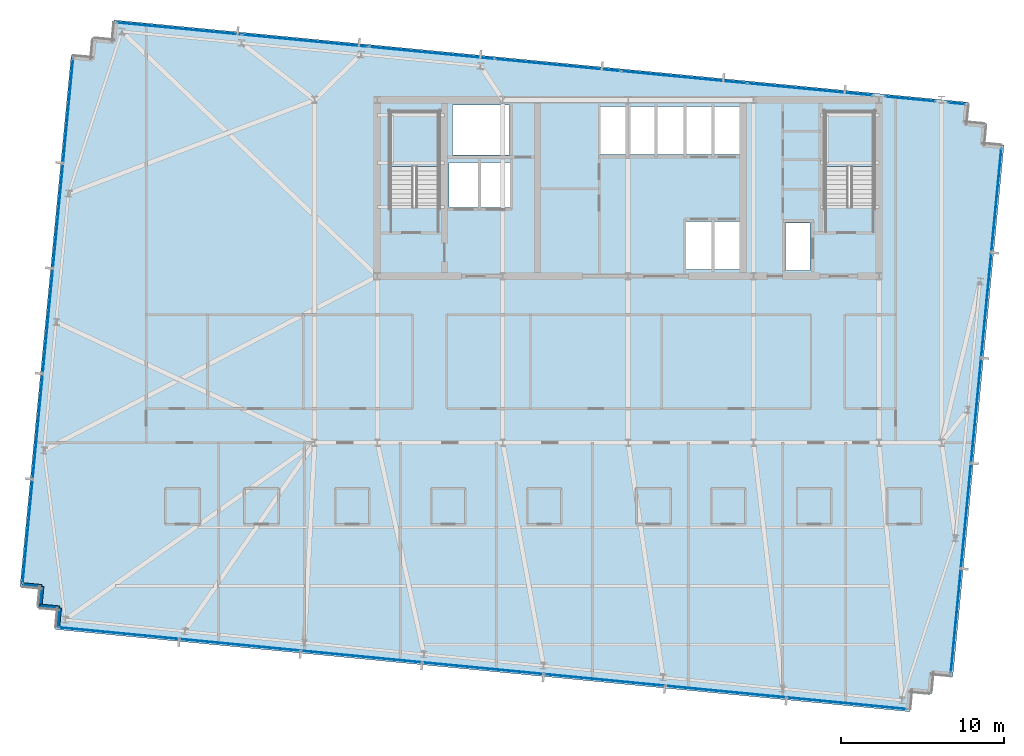
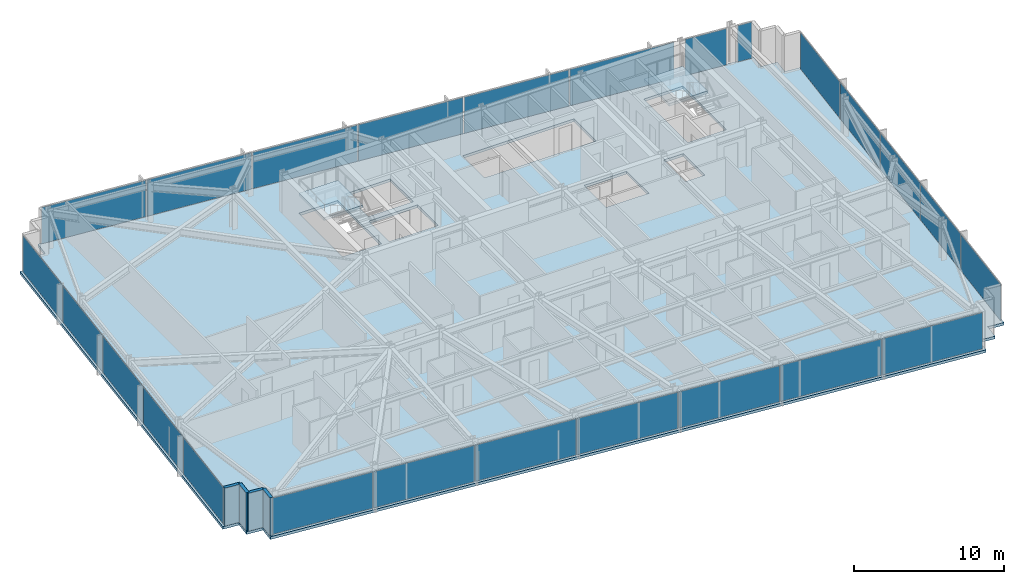
# One storey, part 28 of 37: 25 plates, 4 walls, 3 slabs, 8 elements without a shape of their own.
"""IFC4 building model written with IfcOpenShell, lengths in metres."""

from ifc_helpers import new_model, si_unit, direction, frame, frame_2d, origin, origin_2d, place, context, subcontext, project, spatial, polyline, rectangle, outline, extrude, material, layer, layer_set, type_object, element, aggregate, save


model = new_model("IFC4")

# Units and contexts
model_context = context("Model", 3, precision=1e-05, world=origin(), true_north=direction((0.0, 1.0)))
body_context = subcontext(model_context, "Body", "Model", "MODEL_VIEW")
ifc_project = project(units=[si_unit("LENGTHUNIT", "METRE"), si_unit("AREAUNIT", "SQUARE_METRE"), si_unit("VOLUMEUNIT", "CUBIC_METRE"), si_unit("PLANEANGLEUNIT", "RADIAN"), si_unit("MASSUNIT", "GRAM", prefix="KILO")], contexts=[model_context])

# Site, building, storey
site_placement = place(None, origin())
site = spatial("IfcSite", under=ifc_project, at=site_placement, CompositionType="ELEMENT")
building_placement = place(site_placement, origin())
building = spatial("IfcBuilding", under=site, at=building_placement, Name="Yelkora Congress Tower", CompositionType="ELEMENT")
storey_placement = place(building_placement, frame((0.0, 0.0, 158.89990234375)))
storey = spatial("IfcBuildingStorey", under=building, at=storey_placement, Name="L43", CompositionType="ELEMENT", Elevation=158.89990234375)

# Curtain wall, plates
ifc_material_1 = material(Name="Anodised aluminium and insulated glass", Category="aluminium")
curtain_wall_type = type_object("IfcCurtainWallType", Name="CW-SYS-B3", PredefinedType="NOTDEFINED", material=ifc_material_1)
curtain_wall_1_placement = place(storey_placement, origin())
curtain_wall_1 = element("IfcCurtainWall", 1, at=curtain_wall_1_placement, inside=storey, type_object=curtain_wall_type, Name="L43 Unitised Curtain Wall 5", PredefinedType="NOTDEFINED")
ifc_material_2 = material(Name="Acoustic laminated hotel glass unit B3", Category="glass")
ifc_layer_1 = layer(ifc_material_2, 0.0419921875)
ifc_layer_set_1 = layer_set([ifc_layer_1], Name="Acoustic laminated hotel glass unit B3")
plate_type = type_object("IfcPlateType", Name="PLT-PN-B3", PredefinedType="CURTAIN_PANEL", material=ifc_layer_set_1)
plate_1_placement = place(storey_placement, frame((1.61572265625, 19.75244140625, 0.06005859375), z_axis=(0.0, 0.0, 1.0), x_axis=(0.095845294465, 0.995396242473, 0.0)))
plate_1 = element("IfcPlate", 2, at=plate_1_placement, type_object=plate_type, Name="CW-B3 panel 1.1", PredefinedType="CURTAIN_PANEL", context=body_context, shape_type="SweptSolid", body=[
    extrude(rectangle(XDim=6.37890625, YDim=0.0419921875, at=origin_2d()), origin(), (0.0, 0.0, 1.0), 2.9599609375),
])
plate_2_placement = place(storey_placement, frame((2.235595703125, 26.189208984375, 0.06005859375), z_axis=(0.0, 0.0, 1.0), x_axis=(0.095845294465, 0.995396242473, 0.0)))
plate_2 = element("IfcPlate", 3, at=plate_2_placement, type_object=plate_type, Name="CW-B3 panel 2.1", PredefinedType="CURTAIN_PANEL", context=body_context, shape_type="SweptSolid", body=[
    extrude(rectangle(XDim=6.4140625, YDim=0.0419921875, at=origin_2d()), origin(), (0.0, 0.0, 1.0), 2.9599609375),
])
plate_3_placement = place(storey_placement, frame((2.85693359375, 32.643310546875, 0.06005859375), z_axis=(0.0, 0.0, 1.0), x_axis=(0.095845294465, 0.995396242473, 0.0)))
plate_3 = element("IfcPlate", 4, at=plate_3_placement, type_object=plate_type, Name="CW-B3 panel 3.1", PredefinedType="CURTAIN_PANEL", context=body_context, shape_type="SweptSolid", body=[
    extrude(rectangle(XDim=6.4140625, YDim=0.0419921875, at=origin_2d()), origin(), (0.0, 0.0, 1.0), 2.9599609375),
])
plate_4_placement = place(storey_placement, frame((3.478515625, 39.097412109375, 0.06005859375), z_axis=(0.0, 0.0, 1.0), x_axis=(0.095845294465, 0.995396242473, 0.0)))
plate_4 = element("IfcPlate", 5, at=plate_4_placement, type_object=plate_type, Name="CW-B3 panel 4.1", PredefinedType="CURTAIN_PANEL", context=body_context, shape_type="SweptSolid", body=[
    extrude(rectangle(XDim=6.4140625, YDim=0.0419921875, at=origin_2d()), origin(), (0.0, 0.0, 1.0), 2.9599609375),
])
plate_5_placement = place(storey_placement, frame((4.09814453125, 45.5341796875, 0.06005859375), z_axis=(0.0, 0.0, 1.0), x_axis=(0.095845294465, 0.995396242473, 0.0)))
plate_5 = element("IfcPlate", 6, at=plate_5_placement, type_object=plate_type, Name="CW-B3 panel 5.1", PredefinedType="CURTAIN_PANEL", context=body_context, shape_type="SweptSolid", body=[
    extrude(rectangle(XDim=6.37890625, YDim=0.0419921875, at=origin_2d()), origin(), (0.0, 0.0, 1.0), 2.9599609375),
])
aggregate(curtain_wall_1, [plate_1, plate_2, plate_3, plate_4, plate_5])

curtain_wall_2_placement = place(storey_placement, origin())
curtain_wall_2 = element("IfcCurtainWall", 7, at=curtain_wall_2_placement, inside=storey, type_object=curtain_wall_type, Name="L43 Unitised Curtain Wall 10 (1)", PredefinedType="NOTDEFINED")
plate_6_placement = place(storey_placement, frame((10.913818359375, 50.5634765625, 0.06005859375), z_axis=(0.0, 0.0, 1.0), x_axis=(0.995396293823, -0.095844761168, 0.0)))
plate_6 = element("IfcPlate", 8, at=plate_6_placement, type_object=plate_type, Name="CW-B3 panel 1.1", PredefinedType="CURTAIN_PANEL", context=body_context, shape_type="SweptSolid", body=[
    extrude(rectangle(XDim=7.664306640625, YDim=0.0419921875, at=origin_2d()), origin(), (0.0, 0.0, 1.0), 2.9599609375),
])
plate_7_placement = place(storey_placement, frame((18.6298828125, 49.820556640625, 0.06005859375), z_axis=(0.0, 0.0, 1.0), x_axis=(0.995396293823, -0.095844761168, 0.0)))
plate_7 = element("IfcPlate", 9, at=plate_7_placement, type_object=plate_type, Name="CW-B3 panel 2.1", PredefinedType="CURTAIN_PANEL", context=body_context, shape_type="SweptSolid", body=[
    extrude(rectangle(XDim=7.69921875, YDim=0.0419921875, at=origin_2d()), origin(), (0.0, 0.0, 1.0), 2.9599609375),
])
plate_8_placement = place(storey_placement, frame((26.363525390625, 49.075927734375, 0.06005859375), z_axis=(0.0, 0.0, 1.0), x_axis=(0.995396293823, -0.095844761168, 0.0)))
plate_8 = element("IfcPlate", 10, at=plate_8_placement, type_object=plate_type, Name="CW-B3 panel 3.1", PredefinedType="CURTAIN_PANEL", context=body_context, shape_type="SweptSolid", body=[
    extrude(rectangle(XDim=7.69921875, YDim=0.0419921875, at=origin_2d()), origin(), (0.0, 0.0, 1.0), 2.9599609375),
])
plate_9_placement = place(storey_placement, frame((34.09716796875, 48.331298828125, 0.06005859375), z_axis=(0.0, 0.0, 1.0), x_axis=(0.995396293823, -0.095844761168, 0.0)))
plate_9 = element("IfcPlate", 11, at=plate_9_placement, type_object=plate_type, Name="CW-B3 panel 4.1", PredefinedType="CURTAIN_PANEL", context=body_context, shape_type="SweptSolid", body=[
    extrude(rectangle(XDim=7.69921875, YDim=0.0419921875, at=origin_2d()), origin(), (0.0, 0.0, 1.0), 2.9599609375),
])
plate_10_placement = place(storey_placement, frame((41.83056640625, 47.586669921875, 0.06005859375), z_axis=(0.0, 0.0, 1.0), x_axis=(0.995396293823, -0.095844761168, 0.0)))
plate_10 = element("IfcPlate", 12, at=plate_10_placement, type_object=plate_type, Name="CW-B3 panel 5.1", PredefinedType="CURTAIN_PANEL", context=body_context, shape_type="SweptSolid", body=[
    extrude(rectangle(XDim=7.69921875, YDim=0.0419921875, at=origin_2d()), origin(), (0.0, 0.0, 1.0), 2.9599609375),
])
plate_11_placement = place(storey_placement, frame((49.546875, 46.84375, 0.06005859375), z_axis=(0.0, 0.0, 1.0), x_axis=(0.995396293823, -0.095844761168, 0.0)))
plate_11 = element("IfcPlate", 13, at=plate_11_placement, type_object=plate_type, Name="CW-B3 panel 6.1", PredefinedType="CURTAIN_PANEL", context=body_context, shape_type="SweptSolid", body=[
    extrude(rectangle(XDim=7.664306640625, YDim=0.0419921875, at=origin_2d()), origin(), (0.0, 0.0, 1.0), 2.9599609375),
])
aggregate(curtain_wall_2, [plate_6, plate_7, plate_8, plate_9, plate_10, plate_11])

# Curtain wall, plate
curtain_wall_3_placement = place(storey_placement, origin())
curtain_wall_3 = element("IfcCurtainWall", 14, at=curtain_wall_3_placement, inside=storey, type_object=curtain_wall_type, Name="L43 Unitised Curtain Wall 10 (2)", PredefinedType="NOTDEFINED")
plate_12_placement = place(storey_placement, frame((55.679931640625, 46.253173828125, 0.06005859375), z_axis=(0.0, 0.0, 1.0), x_axis=(0.995395952188, -0.095848309157, 0.0)))
plate_12 = element("IfcPlate", 15, at=plate_12_placement, type_object=plate_type, Name="CW-B3 panel 1.1", PredefinedType="CURTAIN_PANEL", context=body_context, shape_type="SweptSolid", body=[
    extrude(rectangle(XDim=3.056640625, YDim=0.0419921875, at=origin_2d()), origin(), (0.0, 0.0, 1.0), 2.9599609375),
])
aggregate(curtain_wall_3, [plate_12])

curtain_wall_4_placement = place(storey_placement, origin())
curtain_wall_4 = element("IfcCurtainWall", 16, at=curtain_wall_4_placement, inside=storey, type_object=curtain_wall_type, Name="L43 Unitised Curtain Wall 10 (3)", PredefinedType="NOTDEFINED")
plate_13_placement = place(storey_placement, frame((58.518798828125, 45.979736328125, 0.06005859375), z_axis=(0.0, 0.0, 1.0), x_axis=(0.995395569658, -0.095852281686, 0.0)))
plate_13 = element("IfcPlate", 17, at=plate_13_placement, type_object=plate_type, Name="CW-B3 panel 1.1", PredefinedType="CURTAIN_PANEL", context=body_context, shape_type="SweptSolid", body=[
    extrude(rectangle(XDim=1.045166015625, YDim=0.0419921875, at=origin_2d()), origin(), (0.0, 0.0, 1.0), 2.9599609375),
])
aggregate(curtain_wall_4, [plate_13])

# Curtain wall, plates
curtain_wall_5_placement = place(storey_placement, origin())
curtain_wall_5 = element("IfcCurtainWall", 18, at=curtain_wall_5_placement, inside=storey, type_object=curtain_wall_type, Name="L43 Unitised Curtain Wall 15", PredefinedType="NOTDEFINED")
plate_14_placement = place(storey_placement, frame((60.955322265625, 40.0595703125, 0.06005859375), z_axis=(0.0, 0.0, 1.0), x_axis=(-0.095841944023, -0.995396565076, 0.0)))
plate_14 = element("IfcPlate", 19, at=plate_14_placement, type_object=plate_type, Name="CW-B3 panel 1.1", PredefinedType="CURTAIN_PANEL", context=body_context, shape_type="SweptSolid", body=[
    extrude(rectangle(XDim=6.37890625, YDim=0.0419921875, at=origin_2d()), origin(), (0.0, 0.0, 1.0), 2.9599609375),
])
plate_15_placement = place(storey_placement, frame((60.33544921875, 33.622802734375, 0.06005859375), z_axis=(0.0, 0.0, 1.0), x_axis=(-0.095841944023, -0.995396565076, 0.0)))
plate_15 = element("IfcPlate", 20, at=plate_15_placement, type_object=plate_type, Name="CW-B3 panel 2.1", PredefinedType="CURTAIN_PANEL", context=body_context, shape_type="SweptSolid", body=[
    extrude(rectangle(XDim=6.4140625, YDim=0.0419921875, at=origin_2d()), origin(), (0.0, 0.0, 1.0), 2.9599609375),
])
plate_16_placement = place(storey_placement, frame((59.714111328125, 27.168701171875, 0.06005859375), z_axis=(0.0, 0.0, 1.0), x_axis=(-0.095841944023, -0.995396565076, 0.0)))
plate_16 = element("IfcPlate", 21, at=plate_16_placement, type_object=plate_type, Name="CW-B3 panel 3.1", PredefinedType="CURTAIN_PANEL", context=body_context, shape_type="SweptSolid", body=[
    extrude(rectangle(XDim=6.4140625, YDim=0.0419921875, at=origin_2d()), origin(), (0.0, 0.0, 1.0), 2.9599609375),
])
plate_17_placement = place(storey_placement, frame((59.092529296875, 20.71435546875, 0.06005859375), z_axis=(0.0, 0.0, 1.0), x_axis=(-0.095841944023, -0.995396565076, 0.0)))
plate_17 = element("IfcPlate", 22, at=plate_17_placement, type_object=plate_type, Name="CW-B3 panel 4.1", PredefinedType="CURTAIN_PANEL", context=body_context, shape_type="SweptSolid", body=[
    extrude(rectangle(XDim=6.4140625, YDim=0.0419921875, at=origin_2d()), origin(), (0.0, 0.0, 1.0), 2.9599609375),
])
plate_18_placement = place(storey_placement, frame((58.472900390625, 14.277587890625, 0.06005859375), z_axis=(0.0, 0.0, 1.0), x_axis=(-0.095841944023, -0.995396565076, 0.0)))
plate_18 = element("IfcPlate", 23, at=plate_18_placement, type_object=plate_type, Name="CW-B3 panel 5.1", PredefinedType="CURTAIN_PANEL", context=body_context, shape_type="SweptSolid", body=[
    extrude(rectangle(XDim=6.37890625, YDim=0.0419921875, at=origin_2d()), origin(), (0.0, 0.0, 1.0), 2.9599609375),
])
aggregate(curtain_wall_5, [plate_14, plate_15, plate_16, plate_17, plate_18])

curtain_wall_6_placement = place(storey_placement, origin())
curtain_wall_6 = element("IfcCurtainWall", 24, at=curtain_wall_6_placement, inside=storey, type_object=curtain_wall_type, Name="L43 Unitised Curtain Wall 20", PredefinedType="NOTDEFINED")
plate_19_placement = place(storey_placement, frame((51.803955078125, 9.234130859375, 0.06005859375), z_axis=(0.0, 0.0, 1.0), x_axis=(-0.995396301573, 0.095844680679, 0.0)))
plate_19 = element("IfcPlate", 25, at=plate_19_placement, type_object=plate_type, Name="CW-B3 panel 1.1", PredefinedType="CURTAIN_PANEL", context=body_context, shape_type="SweptSolid", body=[
    extrude(rectangle(XDim=7.369384765625, YDim=0.0419921875, at=origin_2d()), origin(), (0.0, 0.0, 1.0), 2.9599609375),
])
plate_20_placement = place(storey_placement, frame((44.381591796875, 9.948974609375, 0.06005859375), z_axis=(0.0, 0.0, 1.0), x_axis=(-0.995396301573, 0.095844680679, 0.0)))
plate_20 = element("IfcPlate", 26, at=plate_20_placement, type_object=plate_type, Name="CW-B3 panel 2.1", PredefinedType="CURTAIN_PANEL", context=body_context, shape_type="SweptSolid", body=[
    extrude(rectangle(XDim=7.404296875, YDim=0.0419921875, at=origin_2d()), origin(), (0.0, 0.0, 1.0), 2.9599609375),
])
plate_21_placement = place(storey_placement, frame((36.941650390625, 10.665283203125, 0.06005859375), z_axis=(0.0, 0.0, 1.0), x_axis=(-0.995396301573, 0.095844680679, 0.0)))
plate_21 = element("IfcPlate", 27, at=plate_21_placement, type_object=plate_type, Name="CW-B3 panel 3.1", PredefinedType="CURTAIN_PANEL", context=body_context, shape_type="SweptSolid", body=[
    extrude(rectangle(XDim=7.404296875, YDim=0.0419921875, at=origin_2d()), origin(), (0.0, 0.0, 1.0), 2.9599609375),
])
plate_22_placement = place(storey_placement, frame((29.501708984375, 11.381591796875, 0.06005859375), z_axis=(0.0, 0.0, 1.0), x_axis=(-0.995396301573, 0.095844680679, 0.0)))
plate_22 = element("IfcPlate", 28, at=plate_22_placement, type_object=plate_type, Name="CW-B3 panel 4.1", PredefinedType="CURTAIN_PANEL", context=body_context, shape_type="SweptSolid", body=[
    extrude(rectangle(XDim=7.404296875, YDim=0.0419921875, at=origin_2d()), origin(), (0.0, 0.0, 1.0), 2.9599609375),
])
plate_23_placement = place(storey_placement, frame((22.06201171875, 12.097900390625, 0.06005859375), z_axis=(0.0, 0.0, 1.0), x_axis=(-0.995396301573, 0.095844680679, 0.0)))
plate_23 = element("IfcPlate", 29, at=plate_23_placement, type_object=plate_type, Name="CW-B3 panel 5.1", PredefinedType="CURTAIN_PANEL", context=body_context, shape_type="SweptSolid", body=[
    extrude(rectangle(XDim=7.404296875, YDim=0.0419921875, at=origin_2d()), origin(), (0.0, 0.0, 1.0), 2.9599609375),
])
plate_24_placement = place(storey_placement, frame((14.6220703125, 12.814453125, 0.06005859375), z_axis=(0.0, 0.0, 1.0), x_axis=(-0.995396301573, 0.095844680679, 0.0)))
plate_24 = element("IfcPlate", 30, at=plate_24_placement, type_object=plate_type, Name="CW-B3 panel 6.1", PredefinedType="CURTAIN_PANEL", context=body_context, shape_type="SweptSolid", body=[
    extrude(rectangle(XDim=7.404296875, YDim=0.0419921875, at=origin_2d()), origin(), (0.0, 0.0, 1.0), 2.9599609375),
])
plate_25_placement = place(storey_placement, frame((7.199462890625, 13.529052734375, 0.06005859375), z_axis=(0.0, 0.0, 1.0), x_axis=(-0.995396301573, 0.095844680679, 0.0)))
plate_25 = element("IfcPlate", 31, at=plate_25_placement, type_object=plate_type, Name="CW-B3 panel 7.1", PredefinedType="CURTAIN_PANEL", context=body_context, shape_type="SweptSolid", body=[
    extrude(rectangle(XDim=7.369384765625, YDim=0.0419921875, at=origin_2d()), origin(), (0.0, 0.0, 1.0), 2.9599609375),
])
aggregate(curtain_wall_6, [plate_19, plate_20, plate_21, plate_22, plate_23, plate_24, plate_25])

# Stair, slab
ifc_material_3 = material(Name="Concrete C40/50", Category="concrete")
stair_type = type_object("IfcStairType", Name="STAIR-HT-1420-R20-165", PredefinedType="HALF_TURN_STAIR", material=ifc_material_3)
stair_1_placement = place(storey_placement, origin())
stair_1 = element("IfcStair", 32, at=stair_1_placement, inside=storey, type_object=stair_type, Name="West Core Protected Exit Stair ST-01 (L43)", PredefinedType="HALF_TURN_STAIR")
ifc_layer_2 = layer(ifc_material_3, 0.219970703125)
ifc_layer_set_2 = layer_set([ifc_layer_2], Name="Concrete C40/50")
slab_type_1 = type_object("IfcSlabType", Name="SLAB-LANDING-220", PredefinedType="LANDING", material=ifc_layer_set_2)
slab_1_placement = place(storey_placement, frame((0.0, 0.0, 1.43017578125)))
slab_1 = element("IfcSlab", 33, at=slab_1_placement, type_object=slab_type_1, Name="ST-01 L43 Half Landing 1", PredefinedType="LANDING", context=body_context, shape_type="SweptSolid", body=[
    extrude(outline(polyline([(26.820068359375, 42.1201171875), (26.820068359375, 45.469970703125), (23.820068359375, 45.469970703125), (23.820068359375, 42.1201171875), (26.820068359375, 42.1201171875)])), origin(), (0.0, 0.0, 1.0), 0.219970703125),
])
aggregate(stair_1, [slab_1])

stair_2_placement = place(storey_placement, origin())
stair_2 = element("IfcStair", 34, at=stair_2_placement, inside=storey, type_object=stair_type, Name="East Core Protected Exit Stair ST-02 (L43)", PredefinedType="HALF_TURN_STAIR")
slab_2_placement = place(storey_placement, frame((0.0, 0.0, 1.43017578125)))
slab_2 = element("IfcSlab", 35, at=slab_2_placement, type_object=slab_type_1, Name="ST-02 L43 Half Landing 1", PredefinedType="LANDING", context=body_context, shape_type="SweptSolid", body=[
    extrude(outline(polyline([(53.4599609375, 42.1201171875), (53.4599609375, 45.469970703125), (50.4599609375, 45.469970703125), (50.4599609375, 42.1201171875), (53.4599609375, 42.1201171875)])), origin(), (0.0, 0.0, 1.0), 0.219970703125),
])
aggregate(stair_2, [slab_2])

# Slab
ifc_layer_3 = layer(ifc_material_3, 0.219970703125)
ifc_layer_set_3 = layer_set([ifc_layer_3], Name="Concrete C40/50")
slab_type_2 = type_object("IfcSlabType", Name="SLAB-TWR-220", PredefinedType="FLOOR", material=ifc_layer_set_3)
slab_3_placement = place(storey_placement, frame((0.0, 0.0, -0.219970703125)))
element("IfcSlab", 36, at=slab_3_placement, inside=storey, type_object=slab_type_2, Name="L43 Structural Floor Slab", PredefinedType="FLOOR", context=body_context, shape_type="SweptSolid", body=[
    extrude(outline(polyline([(3.309326171875, 13.762939453125), (55.667236328125, 8.721435546875), (55.7822265625, 9.916015625), (56.976806640625, 9.801025390625), (57.091796875, 10.99560546875), (58.286376953125, 10.88037109375), (61.42041015625, 43.429931640625), (60.225830078125, 43.544921875), (60.341064453125, 44.739501953125), (59.146484375, 44.8544921875), (59.261474609375, 46.048828125), (6.90380859375, 51.09033203125), (6.78857421875, 49.89599609375), (5.59423828125, 50.010986328125), (5.479248046875, 48.81640625), (4.28466796875, 48.931396484375), (1.150390625, 16.382080078125), (2.344970703125, 16.26708984375), (2.22998046875, 15.072509765625), (3.424560546875, 14.95751953125), (3.309326171875, 13.762939453125)]), holes=[polyline([(23.820068359375, 39.6298828125), (26.820068359375, 39.6298828125), (26.820068359375, 45.469970703125), (23.820068359375, 45.469970703125), (23.820068359375, 39.6298828125)]), polyline([(50.4599609375, 39.6298828125), (53.4599609375, 39.6298828125), (53.4599609375, 45.469970703125), (50.4599609375, 45.469970703125), (50.4599609375, 39.6298828125)]), polyline([(48.050048828125, 35.75), (49.550048828125, 35.75), (49.550048828125, 38.64990234375), (48.050048828125, 38.64990234375), (48.050048828125, 35.75)]), polyline([(36.64990234375, 42.85009765625), (45.25, 42.85009765625), (45.25, 45.800048828125), (36.64990234375, 45.800048828125), (36.64990234375, 42.85009765625)]), polyline([(41.949951171875, 35.800048828125), (45.25, 35.800048828125), (45.25, 38.75), (41.949951171875, 38.75), (41.949951171875, 35.800048828125)]), polyline([(27.419921875, 39.60009765625), (31.179931640625, 39.60009765625), (31.179931640625, 42.35009765625), (27.419921875, 42.35009765625), (27.419921875, 39.60009765625)]), polyline([(27.64990234375, 42.820068359375), (31.1201171875, 42.820068359375), (31.1201171875, 45.8798828125), (27.64990234375, 45.8798828125), (27.64990234375, 42.820068359375)])]), origin(), (0.0, 0.0, 1.0), 0.219970703125),
])

# Walls
ifc_layer_4 = layer(ifc_material_3, 0.239990234375)
ifc_layer_set_4 = layer_set([ifc_layer_4], Name="Concrete C40/50")
wall_type = type_object("IfcWallType", Name="WALL-EXT-LIMESTONE-240", PredefinedType="SOLIDWALL", material=ifc_layer_set_4)
for number, where, z_axis, x_axis, name in (
    (37, (3.462158203125, 13.888916015625, 0.0), (0.0, 0.0, 1.0), (0.096018626938, 0.995379537303, 0.0), "L43 Serrated Corner Limestone Pier 1"),
    (38, (3.577392578125, 15.08349609375, 0.0), (0.0, 0.0, 1.0), (-0.995398960025, 0.095817067274, 0.0), "L43 Serrated Corner Limestone Pier 2"),
):
    element("IfcWall", number, at=place(storey_placement, frame(where, z_axis=z_axis, x_axis=x_axis)), inside=storey, type_object=wall_type, Name=name, PredefinedType="SOLIDWALL", context=body_context, shape_type="SweptSolid", body=[
        extrude(rectangle(XDim=1.2001953125, YDim=0.239990234375, at=frame_2d((0.60009765625, 0.0))), origin(), (0.0, 0.0, 1.0), 3.080078125),
    ])
wall_1_placement = place(storey_placement, frame((2.3828125, 15.198486328125, 0.0), z_axis=(0.0, 0.0, 1.0), x_axis=(0.095836473879, 0.995397091755, 0.0)))
element("IfcWall", 39, at=wall_1_placement, inside=storey, type_object=wall_type, Name="L43 Serrated Corner Limestone Pier 3", PredefinedType="SOLIDWALL", context=body_context, shape_type="SweptSolid", body=[
    extrude(rectangle(XDim=1.199951171875, YDim=0.239990234375, at=frame_2d((0.60009765625, 0.0))), origin(), (0.0, 0.0, 1.0), 3.080078125),
])
wall_2_placement = place(storey_placement, frame((2.497802734375, 16.392822265625, 0.0), z_axis=(0.0, 0.0, 1.0), x_axis=(-0.995398960025, 0.095817067274, 0.0)))
element("IfcWall", 40, at=wall_2_placement, inside=storey, type_object=wall_type, Name="L43 Serrated Corner Limestone Pier 4", PredefinedType="SOLIDWALL", context=body_context, shape_type="SweptSolid", body=[
    extrude(rectangle(XDim=1.2001953125, YDim=0.239990234375, at=frame_2d((0.60009765625, 0.0))), origin(), (0.0, 0.0, 1.0), 3.080078125),
])

save(model, "model.ifc")
